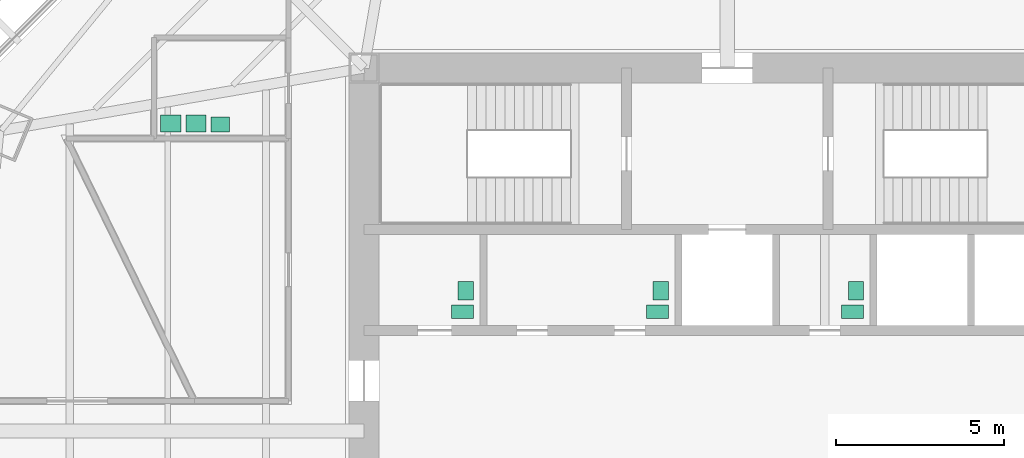
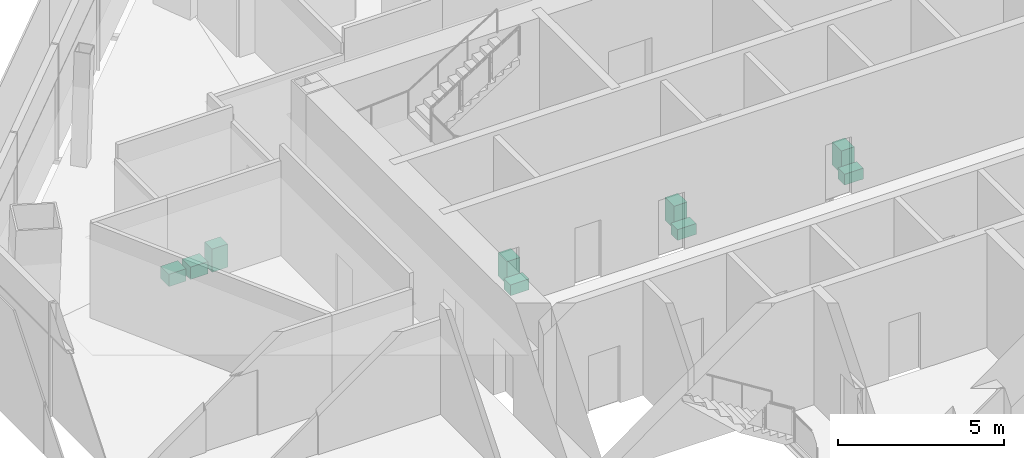
# One storey, part 15 of 15: 9 sanitary terminals.
"""IFC4 building model written with IfcOpenShell, lengths in metres."""

from ifc_helpers import new_model, si_unit, direction, frame, origin, origin_2d, place, context, subcontext, project, spatial, rectangle, extrude, material, type_object, element, save


model = new_model("IFC4")

# Units and contexts
model_context = context("Model", 3, precision=1e-05, world=origin(), true_north=direction((0.0, 1.0)))
body_context = subcontext(model_context, "Body", "Model", "MODEL_VIEW")
ifc_project = project(units=[si_unit("LENGTHUNIT", "METRE"), si_unit("AREAUNIT", "SQUARE_METRE"), si_unit("VOLUMEUNIT", "CUBIC_METRE"), si_unit("PLANEANGLEUNIT", "RADIAN"), si_unit("MASSUNIT", "GRAM", prefix="KILO")], contexts=[model_context])

# Site, building, storey
site_placement = place(None, origin())
site = spatial("IfcSite", under=ifc_project, at=site_placement, CompositionType="ELEMENT")
building_placement = place(site_placement, origin())
building = spatial("IfcBuilding", under=site, at=building_placement, Name="Mashrafa Tower", CompositionType="ELEMENT")
storey_placement = place(building_placement, frame((0.0, 0.0, 168.0)))
storey = spatial("IfcBuildingStorey", under=building, at=storey_placement, Name="L38", CompositionType="ELEMENT", Elevation=168.0)

# Sanitary terminals
ifc_material_1 = material(Name="Stainless steel", Category="steel")
sanitary_terminal_type_1 = type_object("IfcSanitaryTerminalType", Name="Ablution wash station 600 x 500", PredefinedType="WASHHANDBASIN", material=ifc_material_1)
for number, where, z_axis, x_axis, name in (
    (1, (-16.550048828125, 9.14990234375, 0.0), (0.0, 0.0, 1.0), (1.0, 0.0, 0.0), "Ablution wash station Ablution Room L38"),
    (2, (-15.800048828125, 9.14990234375, 0.0), (0.0, 0.0, 1.0), (1.0, 0.0, 0.0), "Ablution wash station Ablution Room L38"),
):
    element("IfcSanitaryTerminal", number, at=place(storey_placement, frame(where, z_axis=z_axis, x_axis=x_axis)), inside=storey, type_object=sanitary_terminal_type_1, Name=name, PredefinedType="WASHHANDBASIN", context=body_context, shape_type="SweptSolid", body=[
        extrude(rectangle(XDim=0.60009765625, YDim=0.5, at=origin_2d()), origin(), (0.0, 0.0, 1.0), 0.449951171875),
    ])
ifc_material_2 = material(Name="Vitreous china")
sanitary_terminal_type_2 = type_object("IfcSanitaryTerminalType", Name="Toilet pan 400 x 650", PredefinedType="TOILETPAN", material=ifc_material_2)
for number, where, z_axis, x_axis, name in (
    (3, (-7.875, 3.550048828125, 0.0), (0.0, 0.0, 1.0), (0.0, 1.0, 0.0), "Toilet pan Accessible WC L38"),
    (4, (-2.074951171875, 3.550048828125, 0.0), (0.0, 0.0, 1.0), (0.0, 1.0, 0.0), "Toilet pan WC Male L38"),
    (5, (3.72509765625, 3.550048828125, 0.0), (0.0, 0.0, 1.0), (0.0, 1.0, 0.0), "Toilet pan WC Female L38"),
):
    element("IfcSanitaryTerminal", number, at=place(storey_placement, frame(where, z_axis=z_axis, x_axis=x_axis)), inside=storey, type_object=sanitary_terminal_type_2, Name=name, PredefinedType="TOILETPAN", context=body_context, shape_type="SweptSolid", body=[
        extrude(rectangle(XDim=0.39990234375, YDim=0.64990234375, at=origin_2d()), origin(), (0.0, 0.0, 1.0), 0.39990234375),
    ])
ifc_material_3 = material(Name="Vitreous china")
sanitary_terminal_type_3 = type_object("IfcSanitaryTerminalType", Name="Wash basin 550 x 450", PredefinedType="WASHHANDBASIN", material=ifc_material_3)
for number, where, z_axis, x_axis, name in (
    (6, (-7.77490234375, 4.175048828125, 0.0), (0.0, 0.0, 1.0), (0.0, 1.0, 0.0), "Wash basin Accessible WC L38"),
    (7, (-1.97509765625, 4.175048828125, 0.0), (0.0, 0.0, 1.0), (0.0, 1.0, 0.0), "Wash basin WC Male L38"),
    (8, (3.824951171875, 4.175048828125, 0.0), (0.0, 0.0, 1.0), (0.0, 1.0, 0.0), "Wash basin WC Female L38"),
    (9, (-15.074951171875, 9.125, 0.0), (0.0, 0.0, 1.0), (1.0, 0.0, 0.0), "Wash basin Ablution Room L38"),
):
    element("IfcSanitaryTerminal", number, at=place(storey_placement, frame(where, z_axis=z_axis, x_axis=x_axis)), inside=storey, type_object=sanitary_terminal_type_3, Name=name, PredefinedType="WASHHANDBASIN", context=body_context, shape_type="SweptSolid", body=[
        extrude(rectangle(XDim=0.550048828125, YDim=0.449951171875, at=origin_2d()), origin(), (0.0, 0.0, 1.0), 0.85009765625),
    ])

save(model, "model.ifc")
